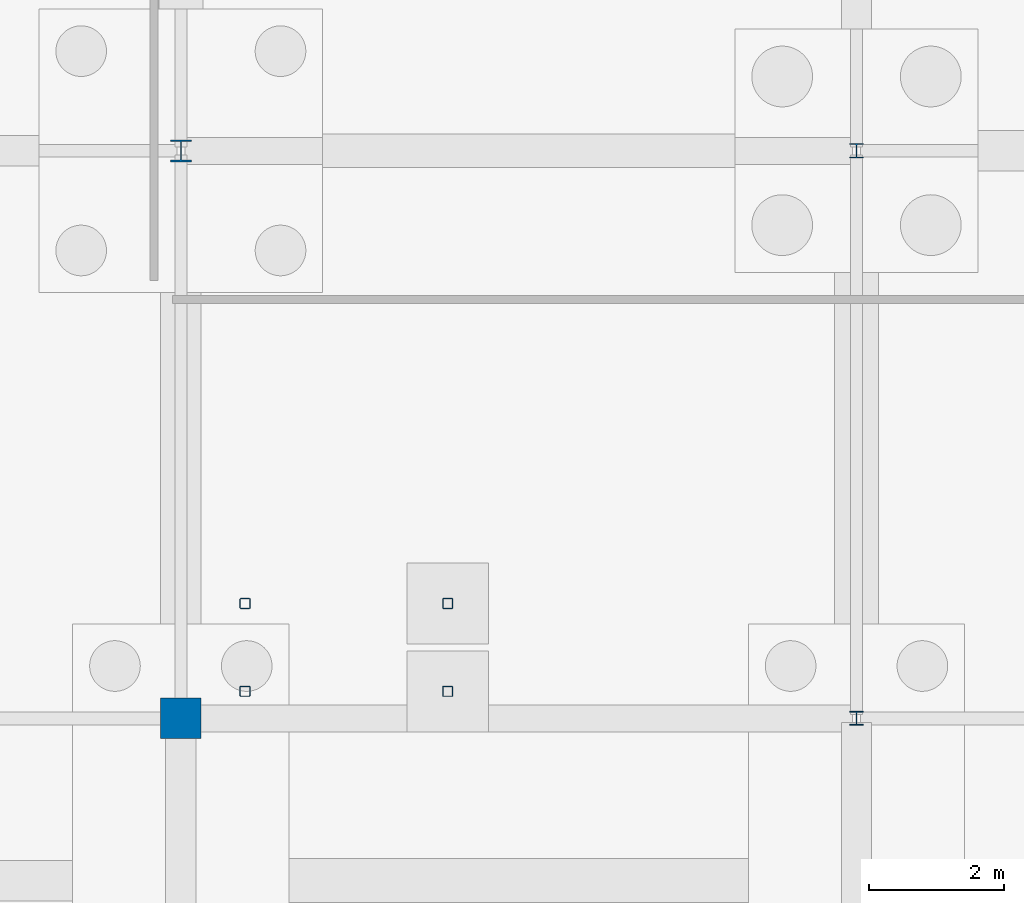
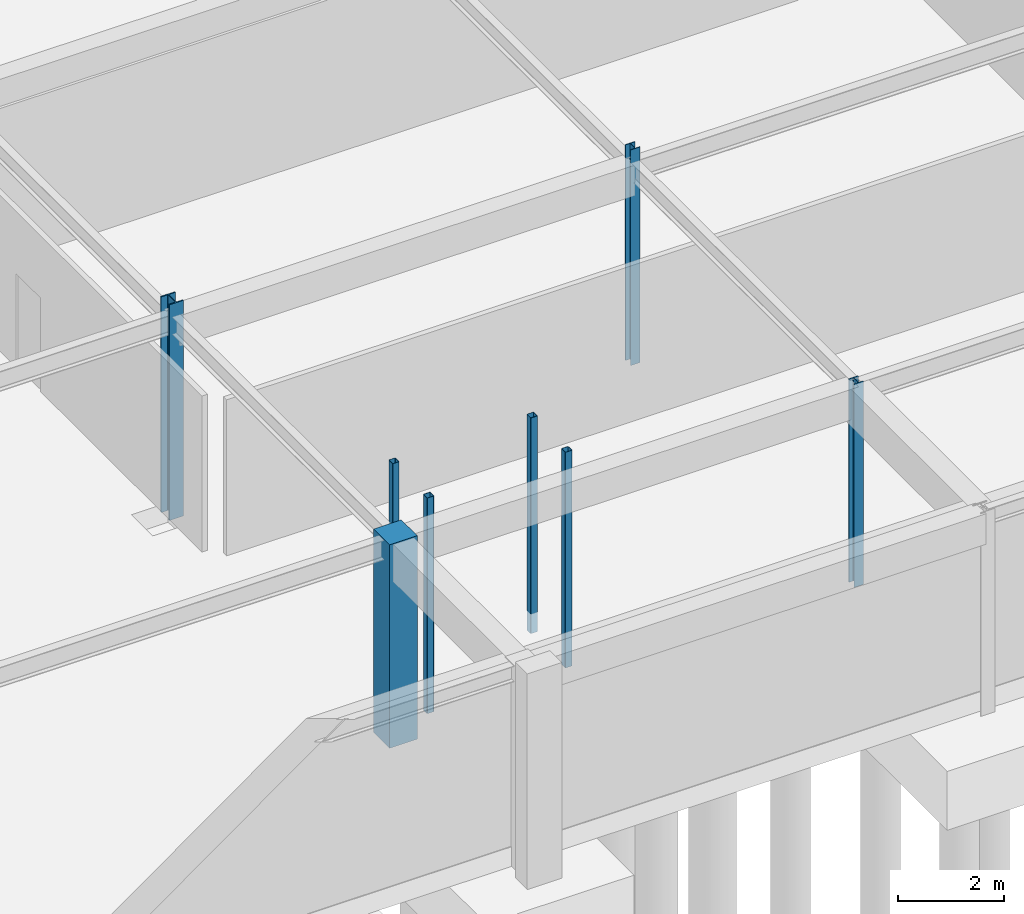
# One storey, part 36 of 75: 8 columns.
"""IFC4 building model written with IfcOpenShell, lengths in metres."""

from ifc_helpers import new_model, si_unit, derived_unit, direction, frame, origin, origin_2d_with_axis, place, context, subcontext, project, spatial, rectangle, hollow_rectangle, i_section, extrude, material, material_profile, profile_set, type_object, element, save


model = new_model("IFC4")

# Units and contexts
model_context = context("Model", 3, precision=1e-05, world=origin(), true_north=direction((0.0, 1.0)))
body_context = subcontext(model_context, "Body", "Model", "MODEL_VIEW")
ifc_project = project(units=[si_unit("LENGTHUNIT", "METRE"), si_unit("AREAUNIT", "SQUARE_METRE"), si_unit("VOLUMEUNIT", "CUBIC_METRE"), si_unit("PLANEANGLEUNIT", "RADIAN"), si_unit("MASSUNIT", "GRAM", prefix="KILO"), derived_unit("THERMALTRANSMITTANCEUNIT", [(si_unit("POWERUNIT", "WATT"), 1), (si_unit("LENGTHUNIT", "METRE"), -2), (si_unit("THERMODYNAMICTEMPERATUREUNIT", "KELVIN"), -1)])], contexts=[model_context])

# Site, building, storey
site_placement = place(None, origin())
site = spatial("IfcSite", under=ifc_project, at=site_placement, CompositionType="ELEMENT")
building_placement = place(site_placement, origin())
building = spatial("IfcBuilding", under=site, at=building_placement, Name="Cinnabar Yard Market Hall", CompositionType="ELEMENT")
storey_placement = place(building_placement, frame((0.0, 0.0, -4.5)))
storey = spatial("IfcBuildingStorey", under=building, at=storey_placement, Name="B1", CompositionType="ELEMENT", Elevation=-4.5)

# Columns
ifc_material_1 = material(Name="Steel Grade 350 (350 MPa)", Category="steel")
ifc_material_profile_1 = material_profile(ifc_material_1, i_section(OverallWidth=0.311279296875, OverallDepth=0.3271484375, WebThickness=0.015625, FlangeThickness=0.02490234375, FilletRadius=0.0166015625, at=origin_2d_with_axis()), Name="310UC158")
ifc_profile_set_1 = profile_set([ifc_material_profile_1], Name="Steel Grade 350 (350 MPa)")
column_type_1 = type_object("IfcColumnType", Name="COL-C06", PredefinedType="COLUMN", material=ifc_profile_set_1)
column_1_placement = place(storey_placement, frame((106.0, 121.199951171875, -0.449951171875), z_axis=(0.0, 0.0, 1.0), x_axis=(1.0, 0.0, 0.0)))
element("IfcColumn", 1, at=column_1_placement, inside=storey, type_object=column_type_1, Name="Wing Column V3-05-03 B1", PredefinedType="COLUMN", context=body_context, shape_type="SweptSolid", body=[
    extrude(i_section(OverallWidth=0.311279296875, OverallDepth=0.3271484375, WebThickness=0.015625, FlangeThickness=0.02490234375, FilletRadius=0.0166015625, at=origin_2d_with_axis()), origin(), (0.0, 0.0, 1.0), 4.949951171875),
])
ifc_material_2 = material(Name="Steel Grade 300 (300 MPa)", Category="steel")
ifc_material_profile_2 = material_profile(ifc_material_2, i_section(OverallWidth=0.203369140625, OverallDepth=0.203369140625, WebThickness=0.00732421875, FlangeThickness=0.010986328125, FilletRadius=0.011474609375, at=origin_2d_with_axis()), Name="200UC46.2")
ifc_profile_set_2 = profile_set([ifc_material_profile_2], Name="Steel Grade 300 (300 MPa)")
column_type_2 = type_object("IfcColumnType", Name="COL-C13", PredefinedType="COLUMN", material=ifc_profile_set_2)
column_2_placement = place(storey_placement, frame((116.0, 112.800048828125, -0.449951171875), z_axis=(0.0, 0.0, 1.0), x_axis=(1.0, 0.0, 0.0)))
element("IfcColumn", 2, at=column_2_placement, inside=storey, type_object=column_type_2, Name="Wing Column V3-06-02 B1", PredefinedType="COLUMN", context=body_context, shape_type="SweptSolid", body=[
    extrude(i_section(OverallWidth=0.203369140625, OverallDepth=0.203369140625, WebThickness=0.00732421875, FlangeThickness=0.010986328125, FilletRadius=0.011474609375, at=origin_2d_with_axis()), origin(), (0.0, 0.0, 1.0), 4.669921875),
])
ifc_material_3 = material(Name="Cold-formed steel C350L0", Category="steel")
ifc_material_profile_3 = material_profile(ifc_material_3, hollow_rectangle(XDim=0.14990234375, YDim=0.14990234375, WallThickness=0.006103515625, InnerFilletRadius=0.006103515625, OuterFilletRadius=0.011962890625, at=origin_2d_with_axis()), Name="150x150x6.0SHS")
ifc_profile_set_3 = profile_set([ifc_material_profile_3], Name="Cold-formed steel C350L0")
column_type_3 = type_object("IfcColumnType", Name="COL-C16", PredefinedType="COLUMN", material=ifc_profile_set_3)
for number, where, z_axis, x_axis, name in (
    (3, (106.949951171875, 113.199951171875, -0.449951171875), (0.0, 0.0, 1.0), (1.0, 0.0, 0.0), "Feature Stair Pier ST-F4-1"),
    (4, (109.949951171875, 113.199951171875, -0.449951171875), (0.0, 0.0, 1.0), (1.0, 0.0, 0.0), "Feature Stair Pier ST-F4-2"),
    (5, (106.949951171875, 114.5, -0.449951171875), (0.0, 0.0, 1.0), (1.0, 0.0, 0.0), "Feature Stair Pier ST-F4-3"),
    (6, (109.949951171875, 114.5, -0.449951171875), (0.0, 0.0, 1.0), (1.0, 0.0, 0.0), "Feature Stair Pier ST-F4-4"),
):
    element("IfcColumn", number, at=place(storey_placement, frame(where, z_axis=z_axis, x_axis=x_axis)), inside=storey, type_object=column_type_3, Name=name, PredefinedType="COLUMN", context=body_context, shape_type="SweptSolid", body=[
        extrude(hollow_rectangle(XDim=0.14990234375, YDim=0.14990234375, WallThickness=0.006103515625, InnerFilletRadius=0.006103515625, OuterFilletRadius=0.011962890625, at=origin_2d_with_axis()), origin(), (0.0, 0.0, 1.0), 4.949951171875),
    ])
ifc_material_profile_4 = material_profile(ifc_material_2, i_section(OverallWidth=0.205078125, OverallDepth=0.209716796875, WebThickness=0.00927734375, FlangeThickness=0.01416015625, FilletRadius=0.011474609375, at=origin_2d_with_axis()), Name="200UC59.5")
ifc_profile_set_4 = profile_set([ifc_material_profile_4], Name="Steel Grade 300 (300 MPa)")
column_type_4 = type_object("IfcColumnType", Name="COL-C17", PredefinedType="COLUMN", material=ifc_profile_set_4)
column_3_placement = place(storey_placement, frame((116.0, 121.199951171875, -0.449951171875), z_axis=(0.0, 0.0, 1.0), x_axis=(1.0, 0.0, 0.0)))
element("IfcColumn", 7, at=column_3_placement, inside=storey, type_object=column_type_4, Name="Wing Column V3-06-03 B1", PredefinedType="COLUMN", context=body_context, shape_type="SweptSolid", body=[
    extrude(i_section(OverallWidth=0.205078125, OverallDepth=0.209716796875, WebThickness=0.00927734375, FlangeThickness=0.01416015625, FilletRadius=0.011474609375, at=origin_2d_with_axis()), origin(), (0.0, 0.0, 1.0), 4.949951171875),
])
ifc_material_4 = material(Name="Concrete 40 MPa", Category="concrete")
ifc_material_profile_5 = material_profile(ifc_material_4, rectangle(XDim=0.60009765625, YDim=0.60009765625, at=origin_2d_with_axis()), Name="RC-600x600")
ifc_profile_set_5 = profile_set([ifc_material_profile_5], Name="Concrete 40 MPa")
column_type_5 = type_object("IfcColumnType", Name="COL-RC2", PredefinedType="COLUMN", material=ifc_profile_set_5)
column_4_placement = place(storey_placement, frame((106.0, 112.800048828125, -0.449951171875), z_axis=(0.0, 0.0, 1.0), x_axis=(1.0, 0.0, 0.0)))
element("IfcColumn", 8, at=column_4_placement, inside=storey, type_object=column_type_5, Name="Wing Column V3-05-02 B1", PredefinedType="COLUMN", context=body_context, shape_type="SweptSolid", body=[
    extrude(rectangle(XDim=0.60009765625, YDim=0.60009765625, at=origin_2d_with_axis()), origin(), (0.0, 0.0, 1.0), 4.669921875),
])

save(model, "model.ifc")
